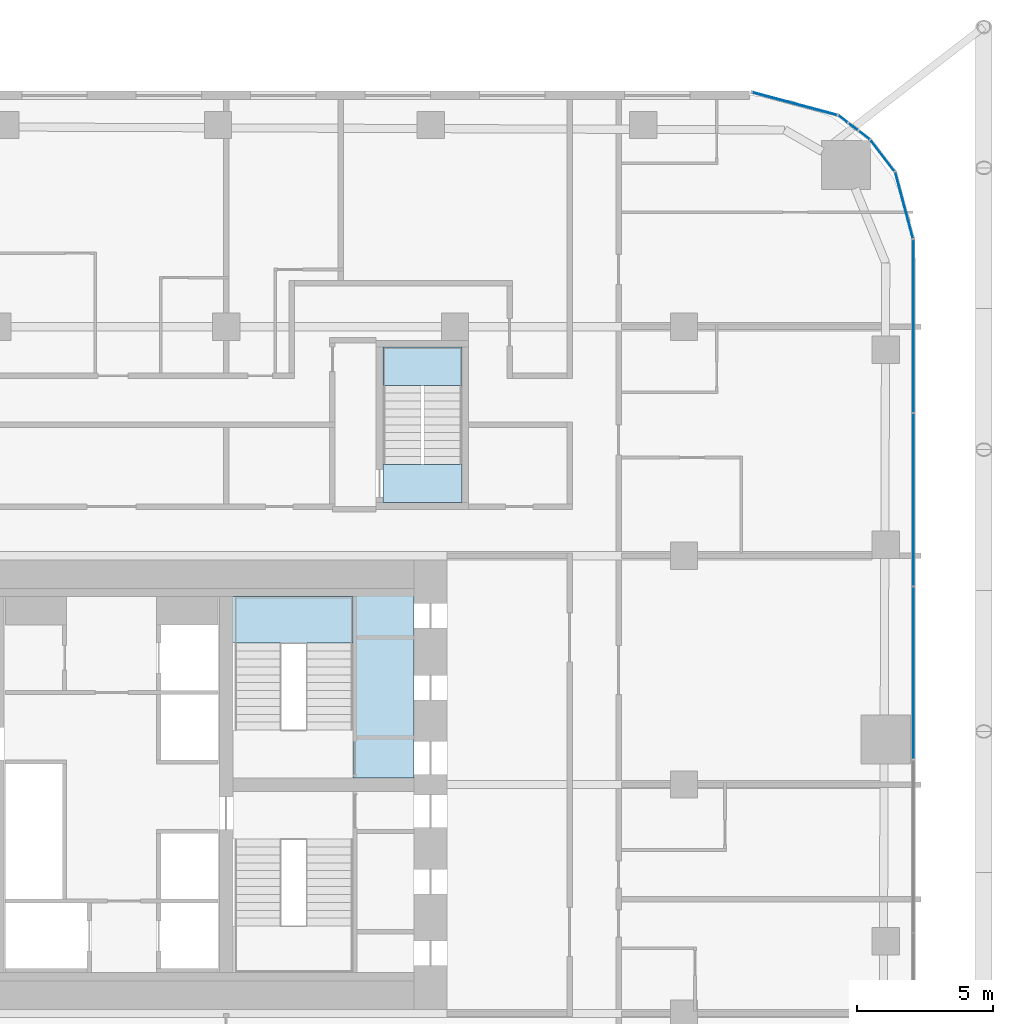
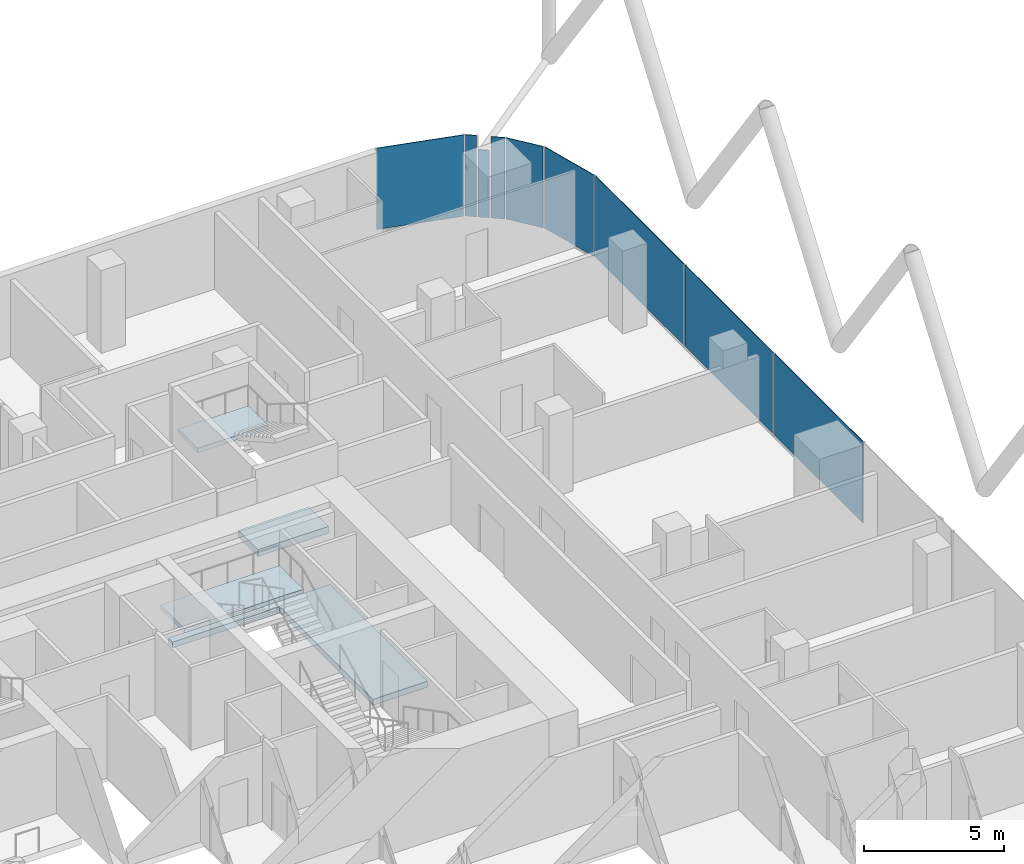
# One storey, part 23 of 35: 9 plates, 4 slabs, 9 elements without a shape of their own.
"""IFC4 building model written with IfcOpenShell, lengths in metres."""

from ifc_helpers import new_model, si_unit, direction, frame, origin, origin_2d, place, context, subcontext, project, spatial, polyline, rectangle, outline, extrude, material, layer, layer_set, type_object, element, aggregate, save


model = new_model("IFC4")

# Units and contexts
model_context = context("Model", 3, precision=1e-05, world=origin(), true_north=direction((0.0, 1.0)))
body_context = subcontext(model_context, "Body", "Model", "MODEL_VIEW")
ifc_project = project(units=[si_unit("LENGTHUNIT", "METRE"), si_unit("AREAUNIT", "SQUARE_METRE"), si_unit("VOLUMEUNIT", "CUBIC_METRE"), si_unit("PLANEANGLEUNIT", "RADIAN"), si_unit("MASSUNIT", "GRAM", prefix="KILO")], contexts=[model_context])

# Site, building, storey
site_placement = place(None, origin())
site = spatial("IfcSite", under=ifc_project, at=site_placement, CompositionType="ELEMENT")
building_placement = place(site_placement, origin())
building = spatial("IfcBuilding", under=site, at=building_placement, Name="Marenta Gate Hotel Tower", CompositionType="ELEMENT")
storey_placement = place(building_placement, frame((0.0, 0.0, 61.699951171875)))
storey = spatial("IfcBuildingStorey", under=building, at=storey_placement, Name="L13", CompositionType="ELEMENT", Elevation=61.699951171875)

# Slab
ifc_material_1 = material(Name="Concrete C40", Category="concrete")
ifc_layer_1 = layer(ifc_material_1, 0.260009765625)
ifc_layer_set_1 = layer_set([ifc_layer_1], Name="Concrete C40")
slab_type_1 = type_object("IfcSlabType", Name="Core floor slab 260", PredefinedType="FLOOR", material=ifc_layer_set_1)
slab_1_placement = place(storey_placement, frame((0.0, 0.0, -0.260009765625)))
element("IfcSlab", 1, at=slab_1_placement, inside=storey, type_object=slab_type_1, Name="L13-CF-3", PredefinedType="FLOOR", context=body_context, shape_type="SweptSolid", body=[
    extrude(outline(polyline([(8.85009765625, 15.300048828125), (4.449951171875, 15.300048828125), (4.449951171875, 15.60009765625), (11.10009765625, 15.60009765625), (11.10009765625, 8.64990234375), (8.85009765625, 8.64990234375), (8.85009765625, 8.699951171875), (8.85009765625, 10.39990234375), (8.85009765625, 15.300048828125)])), origin(), (0.0, 0.0, 1.0), 0.260009765625),
])

# Stair, slab
ifc_material_2 = material(Name="Concrete C40", Category="concrete")
stair_type_1 = type_object("IfcStairType", Name="Core exit stair 1700 wide", PredefinedType="HALF_TURN_STAIR", material=ifc_material_2)
stair_1_placement = place(storey_placement, origin())
stair_1 = element("IfcStair", 2, at=stair_1_placement, inside=storey, type_object=stair_type_1, Name="Exit stair 4", PredefinedType="HALF_TURN_STAIR")
ifc_material_3 = material(Name="Concrete C40", Category="concrete")
ifc_layer_2 = layer(ifc_material_3, 0.199951171875)
ifc_layer_set_2 = layer_set([ifc_layer_2], Name="Concrete C40")
slab_type_2 = type_object("IfcSlabType", Name="Core stair landing 200", PredefinedType="LANDING", material=ifc_layer_set_2)
slab_2_placement = place(storey_placement, frame((0.0, 0.0, 1.60009765625)))
slab_2 = element("IfcSlab", 3, at=slab_2_placement, type_object=slab_type_2, Name="SL-200 ST4 landing 1", PredefinedType="LANDING", context=body_context, shape_type="SweptSolid", body=[
    extrude(outline(polyline([(3.949951171875, 13.590087890625), (8.85009765625, 13.590087890625), (8.85009765625, 15.300048828125), (3.949951171875, 15.300048828125), (3.949951171875, 13.590087890625)])), origin(), (0.0, 0.0, 1.0), 0.199951171875),
])
aggregate(stair_1, [slab_2])

# Curtain wall, plates
ifc_material_4 = material(Name="Tinted insulated glass in bronze anodised frame", Category="glass")
ifc_layer_3 = layer(ifc_material_4, 0.1201171875)
ifc_layer_set_3 = layer_set([ifc_layer_3], Name="Tinted insulated glass in bronze anodised frame")
curtain_wall_type = type_object("IfcCurtainWallType", Name="Tower unitised curtain wall CW1", PredefinedType="NOTDEFINED", material=ifc_layer_set_3)
curtain_wall_1_placement = place(storey_placement, origin())
curtain_wall_1 = element("IfcCurtainWall", 4, at=curtain_wall_1_placement, inside=storey, type_object=curtain_wall_type, Name="CW1 run G18", PredefinedType="NOTDEFINED")
ifc_material_5 = material(Name="Tinted insulated glass", Category="glass")
ifc_layer_4 = layer(ifc_material_5, 0.028076171875)
ifc_layer_set_4 = layer_set([ifc_layer_4], Name="Tinted insulated glass")
plate_type = type_object("IfcPlateType", Name="Glass panel CW1 28 mm tinted insulated unit", PredefinedType="CURTAIN_PANEL", material=ifc_layer_set_4)
plate_1_placement = place(storey_placement, frame((29.4140625, 12.491943359375, 0.06005859375), z_axis=(0.0, 0.0, 1.0), x_axis=(0.0, 1.0, 0.0)))
plate_1 = element("IfcPlate", 5, at=plate_1_placement, type_object=plate_type, Name="CW1 panel 4.1", PredefinedType="CURTAIN_PANEL", context=body_context, shape_type="SweptSolid", body=[
    extrude(rectangle(XDim=6.300048828125, YDim=0.028076171875, at=origin_2d()), origin(), (0.0, 0.0, 1.0), 3.5400390625),
])
plate_2_placement = place(storey_placement, frame((29.4140625, 18.851806640625, 0.06005859375), z_axis=(0.0, 0.0, 1.0), x_axis=(0.0, 1.0, 0.0)))
plate_2 = element("IfcPlate", 6, at=plate_2_placement, type_object=plate_type, Name="CW1 panel 5.1", PredefinedType="CURTAIN_PANEL", context=body_context, shape_type="SweptSolid", body=[
    extrude(rectangle(XDim=6.300048828125, YDim=0.028076171875, at=origin_2d()), origin(), (0.0, 0.0, 1.0), 3.5400390625),
])
plate_3_placement = place(storey_placement, frame((29.4140625, 25.226806640625, 0.06005859375), z_axis=(0.0, 0.0, 1.0), x_axis=(0.0, 1.0, 0.0)))
plate_3 = element("IfcPlate", 7, at=plate_3_placement, type_object=plate_type, Name="CW1 panel 6.1", PredefinedType="CURTAIN_PANEL", context=body_context, shape_type="SweptSolid", body=[
    extrude(rectangle(XDim=6.330078125, YDim=0.028076171875, at=origin_2d()), origin(), (0.0, 0.0, 1.0), 3.5400390625),
])
aggregate(curtain_wall_1, [plate_1, plate_2, plate_3])

# Curtain wall, plate
curtain_wall_2_placement = place(storey_placement, origin())
curtain_wall_2 = element("IfcCurtainWall", 8, at=curtain_wall_2_placement, inside=storey, type_object=curtain_wall_type, Name="CW1 run G19", PredefinedType="NOTDEFINED")
plate_4_placement = place(storey_placement, frame((29.074951171875, 29.657470703125, 0.06005859375), z_axis=(0.0, 0.0, 1.0), x_axis=(-0.258821981125, 0.965925039579, 0.0)))
plate_4 = element("IfcPlate", 9, at=plate_4_placement, type_object=plate_type, Name="CW1 panel 1.1", PredefinedType="CURTAIN_PANEL", context=body_context, shape_type="SweptSolid", body=[
    extrude(rectangle(XDim=2.50048828125, YDim=0.028076171875, at=origin_2d()), origin(), (0.0, 0.0, 1.0), 3.5400390625),
])
aggregate(curtain_wall_2, [plate_4])

curtain_wall_3_placement = place(storey_placement, origin())
curtain_wall_3 = element("IfcCurtainWall", 10, at=curtain_wall_3_placement, inside=storey, type_object=curtain_wall_type, Name="CW1 run G20", PredefinedType="NOTDEFINED")
plate_5_placement = place(storey_placement, frame((28.280029296875, 31.47900390625, 0.06005859375), z_axis=(0.0, 0.0, 1.0), x_axis=(-0.608781405318, 0.79333801153, 0.0)))
plate_5 = element("IfcPlate", 11, at=plate_5_placement, type_object=plate_type, Name="CW1 panel 1.1", PredefinedType="CURTAIN_PANEL", context=body_context, shape_type="SweptSolid", body=[
    extrude(rectangle(XDim=1.427978515625, YDim=0.028076171875, at=origin_2d()), origin(), (0.0, 0.0, 1.0), 3.5400390625),
])
aggregate(curtain_wall_3, [plate_5])

curtain_wall_4_placement = place(storey_placement, origin())
curtain_wall_4 = element("IfcCurtainWall", 12, at=curtain_wall_4_placement, inside=storey, type_object=curtain_wall_type, Name="CW1 run G21", PredefinedType="NOTDEFINED")
plate_6_placement = place(storey_placement, frame((27.606201171875, 32.229248046875, 0.06005859375), z_axis=(0.0, 0.0, 1.0), x_axis=(-0.793327924254, 0.608794550401, 0.0)))
plate_6 = element("IfcPlate", 13, at=plate_6_placement, type_object=plate_type, Name="CW1 panel 1.1", PredefinedType="CURTAIN_PANEL", context=body_context, shape_type="SweptSolid", body=[
    extrude(rectangle(XDim=0.4833984375, YDim=0.028076171875, at=origin_2d()), origin(), (0.0, 0.0, 1.0), 3.5400390625),
])
aggregate(curtain_wall_4, [plate_6])

curtain_wall_5_placement = place(storey_placement, origin())
curtain_wall_5 = element("IfcCurtainWall", 14, at=curtain_wall_5_placement, inside=storey, type_object=curtain_wall_type, Name="CW1 run G22", PredefinedType="NOTDEFINED")
plate_7_placement = place(storey_placement, frame((27.20458984375, 32.537353515625, 0.06005859375), z_axis=(0.0, 0.0, 1.0), x_axis=(-0.793345275313, 0.608771939349, 0.0)))
plate_7 = element("IfcPlate", 15, at=plate_7_placement, type_object=plate_type, Name="CW1 panel 1.1", PredefinedType="CURTAIN_PANEL", context=body_context, shape_type="SweptSolid", body=[
    extrude(rectangle(XDim=0.40869140625, YDim=0.028076171875, at=origin_2d()), origin(), (0.0, 0.0, 1.0), 2.9404296875),
])
aggregate(curtain_wall_5, [plate_7])

curtain_wall_6_placement = place(storey_placement, origin())
curtain_wall_6 = element("IfcCurtainWall", 16, at=curtain_wall_6_placement, inside=storey, type_object=curtain_wall_type, Name="CW1 run G23", PredefinedType="NOTDEFINED")
plate_8_placement = place(storey_placement, frame((26.830078125, 32.82470703125, 0.06005859375), z_axis=(0.0, 0.0, 1.0), x_axis=(-0.793342380821, 0.608775711402, 0.0)))
plate_8 = element("IfcPlate", 17, at=plate_8_placement, type_object=plate_type, Name="CW1 panel 1.1", PredefinedType="CURTAIN_PANEL", context=body_context, shape_type="SweptSolid", body=[
    extrude(rectangle(XDim=0.415771484375, YDim=0.028076171875, at=origin_2d()), origin(), (0.0, 0.0, 1.0), 3.5400390625),
])
aggregate(curtain_wall_6, [plate_8])

curtain_wall_7_placement = place(storey_placement, origin())
curtain_wall_7 = element("IfcCurtainWall", 18, at=curtain_wall_7_placement, inside=storey, type_object=curtain_wall_type, Name="CW1 run G24", PredefinedType="NOTDEFINED")
plate_9_placement = place(storey_placement, frame((25.060791015625, 33.381103515625, 0.06005859375), z_axis=(0.0, 0.0, 1.0), x_axis=(-0.965928970532, 0.258807310344, 0.0)))
plate_9 = element("IfcPlate", 19, at=plate_9_placement, type_object=plate_type, Name="CW1 panel 1.1", PredefinedType="CURTAIN_PANEL", context=body_context, shape_type="SweptSolid", body=[
    extrude(rectangle(XDim=3.20166015625, YDim=0.028076171875, at=origin_2d()), origin(), (0.0, 0.0, 1.0), 3.5400390625),
])
aggregate(curtain_wall_7, [plate_9])

# Stair, slab
ifc_material_6 = material(Name="Concrete C40", Category="concrete")
stair_type_2 = type_object("IfcStairType", Name="Remote exit stair 1400 wide", PredefinedType="HALF_TURN_STAIR", material=ifc_material_6)
stair_2_placement = place(storey_placement, origin())
stair_2 = element("IfcStair", 20, at=stair_2_placement, inside=storey, type_object=stair_type_2, Name="Exit stair RS-Z1-4", PredefinedType="HALF_TURN_STAIR")
ifc_material_7 = material(Name="Concrete C40", Category="concrete")
ifc_layer_5 = layer(ifc_material_7, 0.199951171875)
ifc_layer_set_5 = layer_set([ifc_layer_5], Name="Concrete C40")
slab_type_3 = type_object("IfcSlabType", Name="Remote stair landing 200", PredefinedType="LANDING", material=ifc_layer_set_5)
slab_3_placement = place(storey_placement, frame((0.0, 0.0, 1.60009765625)))
slab_3 = element("IfcSlab", 21, at=slab_3_placement, type_object=slab_type_3, Name="RL-200 RS-Z1-4 landing 1", PredefinedType="LANDING", context=body_context, shape_type="SweptSolid", body=[
    extrude(outline(polyline([(9.949951171875, 23.050048828125), (12.85009765625, 23.050048828125), (12.85009765625, 24.449951171875), (9.949951171875, 24.449951171875), (9.949951171875, 23.050048828125)])), origin(), (0.0, 0.0, 1.0), 0.199951171875),
])
aggregate(stair_2, [slab_3])

# Slab
ifc_material_8 = material(Name="Concrete C40", Category="concrete")
ifc_layer_6 = layer(ifc_material_8, 0.300048828125)
ifc_layer_set_6 = layer_set([ifc_layer_6], Name="Concrete C40")
slab_type_4 = type_object("IfcSlabType", Name="Stair floor landing slab 300", PredefinedType="FLOOR", material=ifc_layer_set_6)
slab_4_placement = place(storey_placement, frame((0.0, 0.0, -0.300048828125)))
element("IfcSlab", 22, at=slab_4_placement, inside=storey, type_object=slab_type_4, Name="L13-RS-Z1-4-CL", PredefinedType="FLOOR", context=body_context, shape_type="SweptSolid", body=[
    extrude(outline(polyline([(12.85009765625, 18.75), (12.85009765625, 20.14990234375), (9.949951171875, 20.14990234375), (9.949951171875, 18.75), (12.85009765625, 18.75)])), origin(), (0.0, 0.0, 1.0), 0.300048828125),
])

save(model, "model.ifc")
